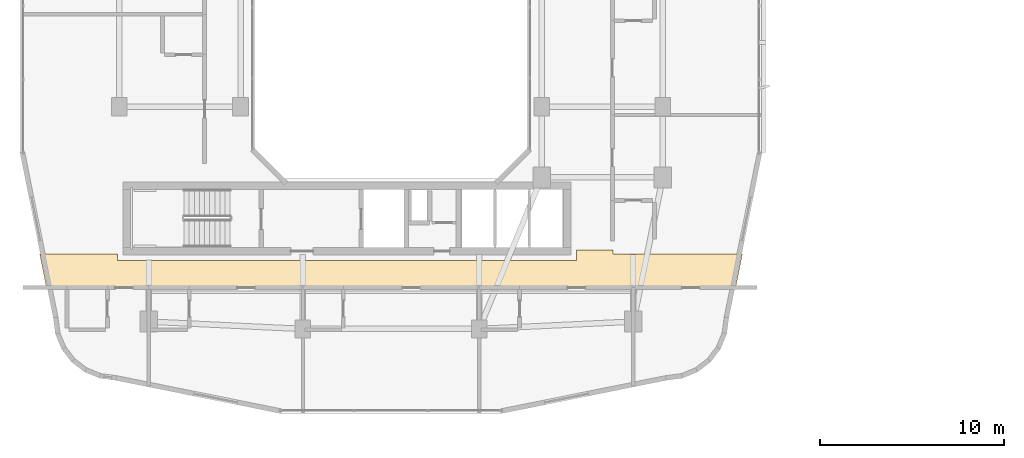
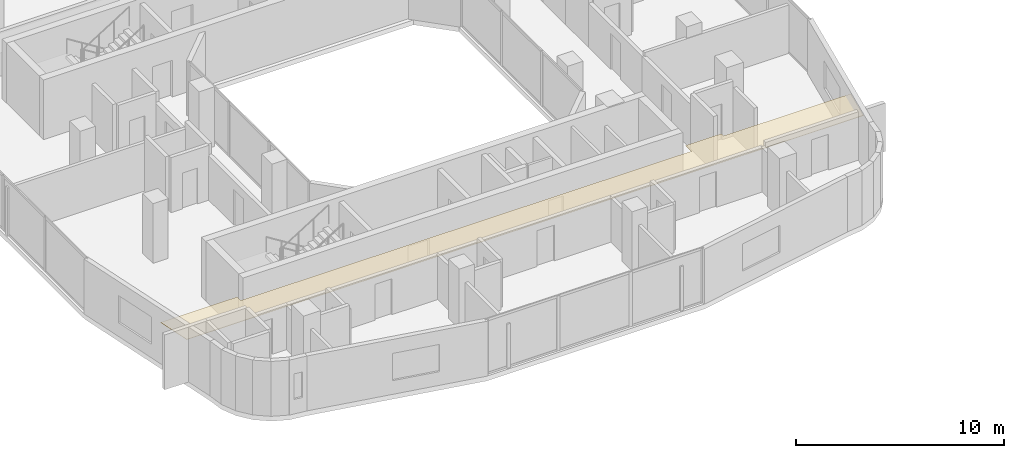
# One storey, part 23 of 26: 1 covering.
"""IFC4 building model written with IfcOpenShell, lengths in metres."""

from ifc_helpers import new_model, si_unit, derived_unit, direction, frame, origin, place, context, subcontext, project, spatial, polyline, outline, extrude, material, layer, layer_set, type_object, element, save


model = new_model("IFC4")

# Units and contexts
model_context = context("Model", 3, precision=1e-05, world=origin(), true_north=direction((0.0, 1.0)))
body_context = subcontext(model_context, "Body", "Model", "MODEL_VIEW")
ifc_project = project(units=[si_unit("LENGTHUNIT", "METRE"), si_unit("AREAUNIT", "SQUARE_METRE"), si_unit("VOLUMEUNIT", "CUBIC_METRE"), si_unit("PLANEANGLEUNIT", "RADIAN"), si_unit("MASSUNIT", "GRAM", prefix="KILO"), derived_unit("THERMALTRANSMITTANCEUNIT", [(si_unit("POWERUNIT", "WATT"), 1), (si_unit("LENGTHUNIT", "METRE"), -2), (si_unit("THERMODYNAMICTEMPERATUREUNIT", "KELVIN"), -1)])], contexts=[model_context])

# Site, building, storey
site_placement = place(None, origin())
site = spatial("IfcSite", under=ifc_project, at=site_placement, CompositionType="ELEMENT")
building_placement = place(site_placement, origin())
building = spatial("IfcBuilding", under=site, at=building_placement, Name="Kivonza Crest Hotel", CompositionType="ELEMENT")
storey_placement = place(building_placement, frame((0.0, 0.0, 98.5)))
storey = spatial("IfcBuildingStorey", under=building, at=storey_placement, Name="L26", CompositionType="ELEMENT", Elevation=98.5)

# Covering
ifc_material = material(Name="Mineral-fibre acoustic ceiling tile", Category="gypsum")
ifc_layer = layer(ifc_material, 0.02490234375)
ifc_layer_set = layer_set([ifc_layer], Name="Mineral-fibre acoustic ceiling tile")
covering_type = type_object("IfcCoveringType", Name="CV-CEIL-ACOU", PredefinedType="CEILING", material=ifc_layer_set)
covering_placement = place(storey_placement, frame((0.0, 0.0, 2.449951171875)))
element("IfcCovering", 1, at=covering_placement, inside=storey, type_object=covering_type, Name="L26 Hotel South Guest Corridor suspended ceiling", PredefinedType="CEILING", context=body_context, shape_type="SweptSolid", body=[
    extrude(outline(polyline([(33.090087890625, 13.47998046875), (33.090087890625, 13.68994140625), (31.10009765625, 13.68994140625), (31.10009765625, 13.139892578125), (6.10009765625, 13.139892578125), (6.10009765625, 13.47998046875), (1.85791015625, 13.47998046875), (2.235107421875, 11.610107421875), (39.764892578125, 11.610107421875), (40.14208984375, 13.47998046875), (33.090087890625, 13.47998046875)])), origin(), (0.0, 0.0, 1.0), 0.025146484375),
])

save(model, "model.ifc")
